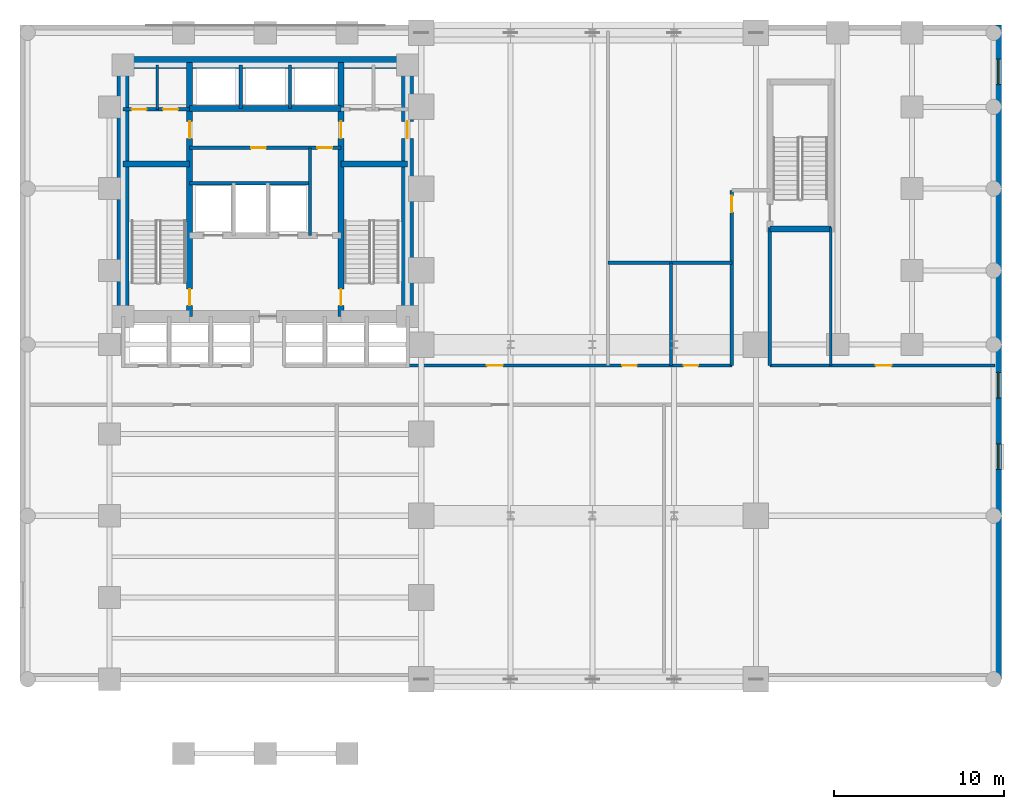
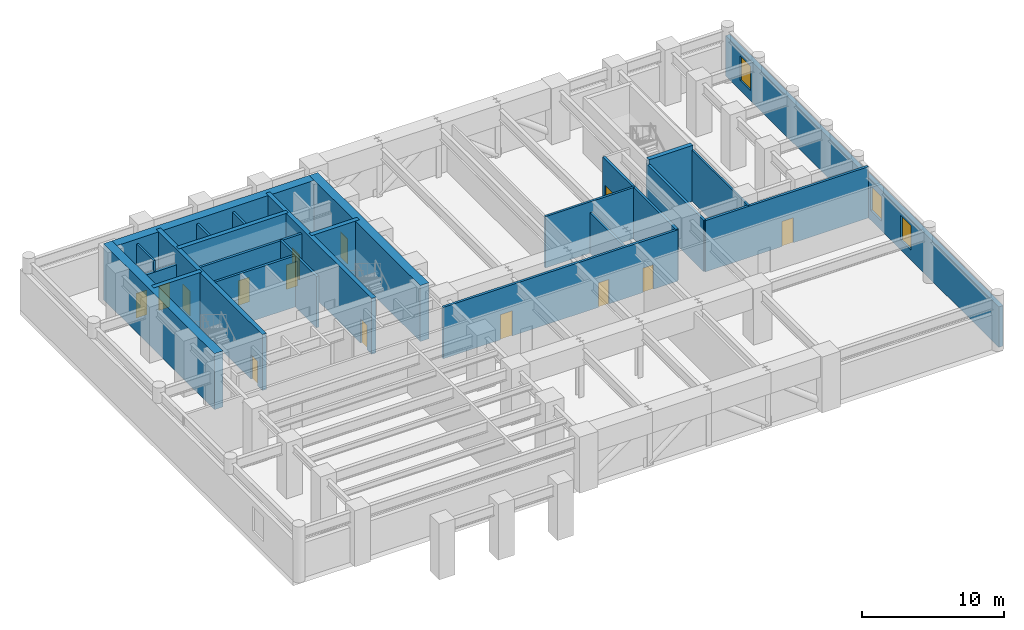
# One storey, part 4 of 8: 24 walls, 14 doors, 3 windows, 17 openings.
"""IFC4 building model written with IfcOpenShell, lengths in metres."""

from ifc_helpers import new_model, si_unit, direction, frame, frame_2d, origin, place, context, subcontext, project, spatial, rectangle, extrude, material, layer, layer_set, type_object, element, fill, save


model = new_model("IFC4")

# Units and contexts
model_context = context("Model", 3, precision=1e-05, world=origin(), true_north=direction((0.0, 1.0)))
body_context = subcontext(model_context, "Body", "Model", "MODEL_VIEW")
ifc_project = project(units=[si_unit("LENGTHUNIT", "METRE"), si_unit("AREAUNIT", "SQUARE_METRE"), si_unit("VOLUMEUNIT", "CUBIC_METRE"), si_unit("PLANEANGLEUNIT", "RADIAN"), si_unit("MASSUNIT", "GRAM", prefix="KILO")], contexts=[model_context])

# Site, building, storey
site_placement = place(None, origin())
site = spatial("IfcSite", under=ifc_project, at=site_placement, CompositionType="ELEMENT")
building_placement = place(site_placement, origin())
building = spatial("IfcBuilding", under=site, at=building_placement, Name="Orvandelia Arch Residences", CompositionType="ELEMENT")
storey_placement = place(building_placement, frame((0.0, 0.0, 14.800048828125)))
storey = spatial("IfcBuildingStorey", under=building, at=storey_placement, Name="L03", CompositionType="ELEMENT", Elevation=14.800048828125)

# Wall, openings, doors
ifc_material_1 = material(Name="Concrete C50/60", Category="concrete")
ifc_layer_1 = layer(ifc_material_1, 0.35009765625, Name="Concrete C50/60", Category="concrete")
ifc_layer_set_1 = layer_set([ifc_layer_1], Name="Concrete C50/60")
wall_type_1 = type_object("IfcWallType", Name="WL-CORE-350", PredefinedType="SHEAR", material=ifc_layer_set_1)
wall_1_placement = place(storey_placement, frame((9.9599609375, 30.89990234375, 0.0), z_axis=(0.0, 0.0, 1.0), x_axis=(0.0, 1.0, 0.0)))
wall_1 = element("IfcWall", 1, at=wall_1_placement, inside=storey, type_object=wall_type_1, Name="Core Shear Wall L03-WEB1", PredefinedType="SHEAR", context=body_context, shape_type="SweptSolid", body=[
    extrude(rectangle(XDim=14.900146484375, YDim=0.35009765625, at=frame_2d((7.4501953125, 0.0))), origin(), (0.0, 0.0, 1.0), 4.800048828125),
])
opening_1_placement = place(wall_1_placement, frame((0.64990234375, 0.0, 0.0)))
opening_1 = element("IfcOpeningElement", 2, at=opening_1_placement, cuts=wall_1, Name="Opening D7", PredefinedType="OPENING", context=body_context, shape_type="SweptSolid", body=[
    extrude(rectangle(XDim=0.949951171875, YDim=2.10009765625, at=frame_2d((0.47509765625, 1.050048828125))), frame((0.0, 0.18505859375, 0.0), z_axis=(0.0, -1.0, 0.0), x_axis=(1.0, 0.0, 0.0)), (0.0, 0.0, 1.0), 0.3701171875),
])
opening_2_placement = place(wall_1_placement, frame((10.449951171875, 0.0, 0.0)))
opening_2 = element("IfcOpeningElement", 3, at=opening_2_placement, cuts=wall_1, Name="Opening D6", PredefinedType="OPENING", context=body_context, shape_type="SweptSolid", body=[
    extrude(rectangle(XDim=1.0, YDim=2.14990234375, at=frame_2d((0.5, 1.074951171875))), frame((0.0, 0.18505859375, 0.0), z_axis=(0.0, -1.0, 0.0), x_axis=(1.0, 0.0, 0.0)), (0.0, 0.0, 1.0), 0.3701171875),
])
ifc_material_2 = material(Name="Smokeproof Painted Steel Fire Door", Category="steel")
door_type_1 = type_object("IfcDoorType", Name="DR-FD60-1000", OperationType="NOTDEFINED", PredefinedType="DOOR", material=ifc_material_2)
door_1_placement = place(opening_2_placement, origin())
door_1 = element("IfcDoor", 4, at=door_1_placement, inside=storey, type_object=door_type_1, Name="High-Rise Lift Hall West Vestibule Door L03", OperationType="SINGLE_SWING_LEFT", OverallHeight=2.14990234375, OverallWidth=1.0, PredefinedType="DOOR", context=body_context, shape_type="SweptSolid", body=[
    extrude(rectangle(XDim=1.0, YDim=2.14990234375, at=frame_2d((0.5, 1.074951171875))), frame((0.0, 0.02490234375, 0.0), z_axis=(0.0, -1.0, 0.0), x_axis=(1.0, 0.0, 0.0)), (0.0, 0.0, 1.0), 0.050048828125),
])
fill(opening_2, door_1)
ifc_material_3 = material(Name="Pressurised Stairwell Fire Door")
door_type_2 = type_object("IfcDoorType", Name="DR-STAIR-950", OperationType="NOTDEFINED", PredefinedType="DOOR", material=ifc_material_3)
door_2_placement = place(opening_1_placement, origin())
door_2 = element("IfcDoor", 5, at=door_2_placement, inside=storey, type_object=door_type_2, Name="Stairwell ST-1 Fire Door L03", OperationType="SINGLE_SWING_LEFT", OverallHeight=2.10009765625, OverallWidth=0.949951171875, PredefinedType="DOOR", context=body_context, shape_type="SweptSolid", body=[
    extrude(rectangle(XDim=0.949951171875, YDim=2.10009765625, at=frame_2d((0.47509765625, 1.050048828125))), frame((0.0, 0.02490234375, 0.0), z_axis=(0.0, -1.0, 0.0), x_axis=(1.0, 0.0, 0.0)), (0.0, 0.0, 1.0), 0.050048828125),
])
fill(opening_1, door_2)

wall_2_placement = place(storey_placement, frame((18.840087890625, 30.89990234375, 0.0), z_axis=(0.0, 0.0, 1.0), x_axis=(0.0, 1.0, 0.0)))
wall_2 = element("IfcWall", 6, at=wall_2_placement, inside=storey, type_object=wall_type_1, Name="Core Shear Wall L03-WEB2", PredefinedType="SHEAR", context=body_context, shape_type="SweptSolid", body=[
    extrude(rectangle(XDim=14.900146484375, YDim=0.35009765625, at=frame_2d((7.4501953125, 0.0))), origin(), (0.0, 0.0, 1.0), 4.800048828125),
])
opening_3_placement = place(wall_2_placement, frame((0.64990234375, 0.0, 0.0)))
opening_3 = element("IfcOpeningElement", 7, at=opening_3_placement, cuts=wall_2, Name="Opening D7", PredefinedType="OPENING", context=body_context, shape_type="SweptSolid", body=[
    extrude(rectangle(XDim=0.949951171875, YDim=2.10009765625, at=frame_2d((0.47509765625, 1.050048828125))), frame((0.0, 0.18505859375, 0.0), z_axis=(0.0, -1.0, 0.0), x_axis=(1.0, 0.0, 0.0)), (0.0, 0.0, 1.0), 0.3701171875),
])
opening_4_placement = place(wall_2_placement, frame((10.449951171875, 0.0, 0.0)))
opening_4 = element("IfcOpeningElement", 8, at=opening_4_placement, cuts=wall_2, Name="Opening D6", PredefinedType="OPENING", context=body_context, shape_type="SweptSolid", body=[
    extrude(rectangle(XDim=1.0, YDim=2.14990234375, at=frame_2d((0.5, 1.074951171875))), frame((0.0, 0.18505859375, 0.0), z_axis=(0.0, -1.0, 0.0), x_axis=(1.0, 0.0, 0.0)), (0.0, 0.0, 1.0), 0.3701171875),
])
door_3_placement = place(opening_4_placement, origin())
door_3 = element("IfcDoor", 9, at=door_3_placement, inside=storey, type_object=door_type_1, Name="High-Rise Lift Hall East Vestibule Door L03", OperationType="SINGLE_SWING_RIGHT", OverallHeight=2.14990234375, OverallWidth=1.0, PredefinedType="DOOR", context=body_context, shape_type="SweptSolid", body=[
    extrude(rectangle(XDim=1.0, YDim=2.14990234375, at=frame_2d((0.5, 1.074951171875))), frame((0.0, 0.02490234375, 0.0), z_axis=(0.0, -1.0, 0.0), x_axis=(1.0, 0.0, 0.0)), (0.0, 0.0, 1.0), 0.050048828125),
])
fill(opening_4, door_3)
door_4_placement = place(opening_3_placement, origin())
door_4 = element("IfcDoor", 10, at=door_4_placement, inside=storey, type_object=door_type_2, Name="Stairwell ST-2 Fire Door L03", OperationType="SINGLE_SWING_RIGHT", OverallHeight=2.10009765625, OverallWidth=0.949951171875, PredefinedType="DOOR", context=body_context, shape_type="SweptSolid", body=[
    extrude(rectangle(XDim=0.949951171875, YDim=2.10009765625, at=frame_2d((0.47509765625, 1.050048828125))), frame((0.0, 0.02490234375, 0.0), z_axis=(0.0, -1.0, 0.0), x_axis=(1.0, 0.0, 0.0)), (0.0, 0.0, 1.0), 0.050048828125),
])
fill(opening_3, door_4)

# Walls
for number, where, z_axis, x_axis, name in (
    (11, (6.050048828125, 39.85009765625, 0.0), (0.0, 0.0, 1.0), (1.0, 0.0, 0.0), "Core Shear Wall L03-HZ1"),
    (12, (18.840087890625, 39.85009765625, 0.0), (0.0, 0.0, 1.0), (1.0, 0.0, 0.0), "Core Shear Wall L03-HZ2"),
):
    element("IfcWall", number, at=place(storey_placement, frame(where, z_axis=z_axis, x_axis=x_axis)), inside=storey, type_object=wall_type_1, Name=name, PredefinedType="SHEAR", context=body_context, shape_type="SweptSolid", body=[
        extrude(rectangle(XDim=3.909912109375, YDim=0.35009765625, at=frame_2d((1.955078125, 0.0))), origin(), (0.0, 0.0, 1.0), 4.800048828125),
    ])
wall_3_placement = place(storey_placement, frame((9.9599609375, 43.10009765625, 0.0), z_axis=(0.0, 0.0, 1.0), x_axis=(1.0, 0.0, 0.0)))
element("IfcWall", 13, at=wall_3_placement, inside=storey, type_object=wall_type_1, Name="Core Shear Wall L03-HZ4", PredefinedType="SHEAR", context=body_context, shape_type="SweptSolid", body=[
    extrude(rectangle(XDim=8.880126953125, YDim=0.35009765625, at=frame_2d((4.43994140625, 0.0))), origin(), (0.0, 0.0, 1.0), 4.800048828125),
])
wall_4_placement = place(storey_placement, frame((44.02001953125, 36.0400390625, 0.0), z_axis=(0.0, 0.0, 1.0), x_axis=(1.0, 0.0, 0.0)))
element("IfcWall", 14, at=wall_4_placement, inside=storey, type_object=wall_type_1, Name="East Stair Core Shear Wall L03-S", PredefinedType="SHEAR", context=body_context, shape_type="SweptSolid", body=[
    extrude(rectangle(XDim=3.580078125, YDim=0.35009765625, at=frame_2d((1.7900390625, 0.0))), origin(), (0.0, 0.0, 1.0), 4.800048828125),
])
ifc_material_4 = material(Name="Concrete C80/95", Category="concrete")
ifc_layer_2 = layer(ifc_material_4, 0.699951171875, Name="Concrete C80/95", Category="concrete")
ifc_layer_set_2 = layer_set([ifc_layer_2], Name="Concrete C80/95")
wall_type_2 = type_object("IfcWallType", Name="WL-CORE-700", PredefinedType="SHEAR", material=ifc_layer_set_2)
wall_5_placement = place(storey_placement, frame((6.050048828125, 30.550048828125, 0.0), z_axis=(0.0, 0.0, 1.0), x_axis=(0.0, 1.0, 0.0)))
element("IfcWall", 15, at=wall_5_placement, inside=storey, type_object=wall_type_2, Name="Core Shear Wall L03-W", PredefinedType="SHEAR", context=body_context, shape_type="SweptSolid", body=[
    extrude(rectangle(XDim=15.599853515625, YDim=0.699951171875, at=frame_2d((7.7998046875, 0.0))), origin(), (0.0, 0.0, 1.0), 4.800048828125),
])

# Wall, opening, door
wall_6_placement = place(storey_placement, frame((22.75, 30.550048828125, 0.0), z_axis=(0.0, 0.0, 1.0), x_axis=(0.0, 1.0, 0.0)))
wall_6 = element("IfcWall", 16, at=wall_6_placement, inside=storey, type_object=wall_type_2, Name="Core Shear Wall L03-E", PredefinedType="SHEAR", context=body_context, shape_type="SweptSolid", body=[
    extrude(rectangle(XDim=15.599853515625, YDim=0.699951171875, at=frame_2d((7.7998046875, 0.0))), origin(), (0.0, 0.0, 1.0), 4.800048828125),
])
opening_5_placement = place(wall_6_placement, frame((10.800048828125, 0.0, 0.0)))
opening_5 = element("IfcOpeningElement", 17, at=opening_5_placement, cuts=wall_6, Name="Opening D6", PredefinedType="OPENING", context=body_context, shape_type="SweptSolid", body=[
    extrude(rectangle(XDim=1.0, YDim=2.14990234375, at=frame_2d((0.5, 1.074951171875))), frame((0.0, 0.35986328125, 0.0), z_axis=(0.0, -1.0, 0.0), x_axis=(1.0, 0.0, 0.0)), (0.0, 0.0, 1.0), 0.719970703125),
])
door_5_placement = place(opening_5_placement, origin())
door_5 = element("IfcDoor", 18, at=door_5_placement, inside=storey, type_object=door_type_1, Name="Core East Corridor Link Door L03", OperationType="SINGLE_SWING_LEFT", OverallHeight=2.14990234375, OverallWidth=1.0, PredefinedType="DOOR", context=body_context, shape_type="SweptSolid", body=[
    extrude(rectangle(XDim=1.0, YDim=2.14990234375, at=frame_2d((0.5, 1.074951171875))), frame((0.0, 0.02490234375, 0.0), z_axis=(0.0, -1.0, 0.0), x_axis=(1.0, 0.0, 0.0)), (0.0, 0.0, 1.0), 0.050048828125),
])
fill(opening_5, door_5)

# Wall
wall_7_placement = place(storey_placement, frame((6.050048828125, 45.800048828125, 0.0), z_axis=(0.0, 0.0, 1.0), x_axis=(1.0, 0.0, 0.0)))
element("IfcWall", 19, at=wall_7_placement, inside=storey, type_object=wall_type_2, Name="Core Shear Wall L03-N", PredefinedType="SHEAR", context=body_context, shape_type="SweptSolid", body=[
    extrude(rectangle(XDim=16.699951171875, YDim=0.699951171875, at=frame_2d((8.35009765625, 0.0))), origin(), (0.0, 0.0, 1.0), 4.800048828125),
])

# Wall, openings, doors
ifc_material_5 = material(Name="Fire-Rated Corridor Partition")
ifc_layer_3 = layer(ifc_material_5, 0.199951171875, Name="Fire-Rated Corridor Partition")
ifc_layer_set_3 = layer_set([ifc_layer_3], Name="Fire-Rated Corridor Partition")
wall_type_3 = type_object("IfcWallType", Name="WL-CORR-200", PredefinedType="PARTITIONING", material=ifc_layer_set_3)
wall_8_placement = place(storey_placement, frame((22.75, 28.02001953125, 0.0), z_axis=(0.0, 0.0, 1.0), x_axis=(1.0, 0.0, 0.0)))
wall_8 = element("IfcWall", 20, at=wall_8_placement, inside=storey, type_object=wall_type_3, Name="Interior Partition Wall WL-L03-BRG-N", PredefinedType="PARTITIONING", context=body_context, shape_type="SweptSolid", body=[
    extrude(rectangle(XDim=19.030029296875, YDim=0.199951171875, at=frame_2d((9.51513671875, 0.0))), origin(), (0.0, 0.0, 1.0), 4.39990234375),
])
opening_6_placement = place(wall_8_placement, frame((4.64990234375, 0.0, 0.0)))
opening_6 = element("IfcOpeningElement", 21, at=opening_6_placement, cuts=wall_8, Name="Opening D2", PredefinedType="OPENING", context=body_context, shape_type="SweptSolid", body=[
    extrude(rectangle(XDim=0.949951171875, YDim=2.14990234375, at=frame_2d((0.47509765625, 1.074951171875))), frame((0.0, 0.10986328125, 0.0), z_axis=(0.0, -1.0, 0.0), x_axis=(1.0, 0.0, 0.0)), (0.0, 0.0, 1.0), 0.219970703125),
])
opening_7_placement = place(wall_8_placement, frame((12.60009765625, 0.0, 0.0)))
opening_7 = element("IfcOpeningElement", 22, at=opening_7_placement, cuts=wall_8, Name="Opening D4", PredefinedType="OPENING", context=body_context, shape_type="SweptSolid", body=[
    extrude(rectangle(XDim=0.860107421875, YDim=2.10009765625, at=frame_2d((0.43017578125, 1.050048828125))), frame((0.0, 0.10986328125, 0.0), z_axis=(0.0, -1.0, 0.0), x_axis=(1.0, 0.0, 0.0)), (0.0, 0.0, 1.0), 0.219970703125),
])
opening_8_placement = place(wall_8_placement, frame((16.199951171875, 0.0, 0.0)))
opening_8 = element("IfcOpeningElement", 23, at=opening_8_placement, cuts=wall_8, Name="Opening D4", PredefinedType="OPENING", context=body_context, shape_type="SweptSolid", body=[
    extrude(rectangle(XDim=0.860107421875, YDim=2.10009765625, at=frame_2d((0.43017578125, 1.050048828125))), frame((0.0, 0.10986328125, 0.0), z_axis=(0.0, -1.0, 0.0), x_axis=(1.0, 0.0, 0.0)), (0.0, 0.0, 1.0), 0.219970703125),
])
ifc_material_6 = material(Name="Solid-Core Timber Interior Fire Door", Category="wood")
door_type_3 = type_object("IfcDoorType", Name="DR-APT-950", OperationType="NOTDEFINED", PredefinedType="DOOR", material=ifc_material_6)
door_6_placement = place(opening_6_placement, origin())
door_6 = element("IfcDoor", 24, at=door_6_placement, inside=storey, type_object=door_type_3, Name="DR-L03-PN1", OperationType="SINGLE_SWING_LEFT", OverallHeight=2.14990234375, OverallWidth=0.949951171875, PredefinedType="DOOR", context=body_context, shape_type="SweptSolid", body=[
    extrude(rectangle(XDim=0.949951171875, YDim=2.14990234375, at=frame_2d((0.47509765625, 1.074951171875))), frame((0.0, 0.02490234375, 0.0), z_axis=(0.0, -1.0, 0.0), x_axis=(1.0, 0.0, 0.0)), (0.0, 0.0, 1.0), 0.050048828125),
])
fill(opening_6, door_6)
ifc_material_7 = material(Name="Moisture-Sealed Timber Bathroom Door", Category="wood")
door_type_4 = type_object("IfcDoorType", Name="DR-WET-900", OperationType="NOTDEFINED", PredefinedType="DOOR", material=ifc_material_7)
door_7_placement = place(opening_7_placement, origin())
door_7 = element("IfcDoor", 25, at=door_7_placement, inside=storey, type_object=door_type_4, Name="DR-L03-PWC", OperationType="SINGLE_SWING_RIGHT", OverallHeight=2.10009765625, OverallWidth=0.860107421875, PredefinedType="DOOR", context=body_context, shape_type="SweptSolid", body=[
    extrude(rectangle(XDim=0.860107421875, YDim=2.10009765625, at=frame_2d((0.43017578125, 1.050048828125))), frame((0.0, 0.02490234375, 0.0), z_axis=(0.0, -1.0, 0.0), x_axis=(1.0, 0.0, 0.0)), (0.0, 0.0, 1.0), 0.050048828125),
])
fill(opening_7, door_7)
door_8_placement = place(opening_8_placement, origin())
door_8 = element("IfcDoor", 26, at=door_8_placement, inside=storey, type_object=door_type_4, Name="DR-L03-PWCA", OperationType="SINGLE_SWING_LEFT", OverallHeight=2.10009765625, OverallWidth=0.860107421875, PredefinedType="DOOR", context=body_context, shape_type="SweptSolid", body=[
    extrude(rectangle(XDim=0.860107421875, YDim=2.10009765625, at=frame_2d((0.43017578125, 1.050048828125))), frame((0.0, 0.02490234375, 0.0), z_axis=(0.0, -1.0, 0.0), x_axis=(1.0, 0.0, 0.0)), (0.0, 0.0, 1.0), 0.050048828125),
])
fill(opening_8, door_8)

# Wall, opening, door
wall_9_placement = place(storey_placement, frame((44.02001953125, 28.02001953125, 0.0), z_axis=(0.0, 0.0, 1.0), x_axis=(1.0, 0.0, 0.0)))
wall_9 = element("IfcWall", 27, at=wall_9_placement, inside=storey, type_object=wall_type_3, Name="Interior Partition Wall WL-L03-BRG-N2", PredefinedType="PARTITIONING", context=body_context, shape_type="SweptSolid", body=[
    extrude(rectangle(XDim=13.219970703125, YDim=0.199951171875, at=frame_2d((6.60986328125, 0.0))), origin(), (0.0, 0.0, 1.0), 4.39990234375),
])
opening_9_placement = place(wall_9_placement, frame((6.199951171875, 0.0, 0.0)))
opening_9 = element("IfcOpeningElement", 28, at=opening_9_placement, cuts=wall_9, Name="Opening D2", PredefinedType="OPENING", context=body_context, shape_type="SweptSolid", body=[
    extrude(rectangle(XDim=0.949951171875, YDim=2.14990234375, at=frame_2d((0.47509765625, 1.074951171875))), frame((0.0, 0.10986328125, 0.0), z_axis=(0.0, -1.0, 0.0), x_axis=(1.0, 0.0, 0.0)), (0.0, 0.0, 1.0), 0.219970703125),
])
door_9_placement = place(opening_9_placement, origin())
door_9 = element("IfcDoor", 29, at=door_9_placement, inside=storey, type_object=door_type_3, Name="DR-L03-PNE1", OperationType="SINGLE_SWING_LEFT", OverallHeight=2.14990234375, OverallWidth=0.949951171875, PredefinedType="DOOR", context=body_context, shape_type="SweptSolid", body=[
    extrude(rectangle(XDim=0.949951171875, YDim=2.14990234375, at=frame_2d((0.47509765625, 1.074951171875))), frame((0.0, 0.02490234375, 0.0), z_axis=(0.0, -1.0, 0.0), x_axis=(1.0, 0.0, 0.0)), (0.0, 0.0, 1.0), 0.050048828125),
])
fill(opening_9, door_9)

wall_10_placement = place(storey_placement, frame((41.780029296875, 28.02001953125, 0.0), z_axis=(0.0, 0.0, 1.0), x_axis=(0.0, 1.0, 0.0)))
wall_10 = element("IfcWall", 30, at=wall_10_placement, inside=storey, type_object=wall_type_3, Name="Interior Partition Wall WL-L03-BRG-SW", PredefinedType="PARTITIONING", context=body_context, shape_type="SweptSolid", body=[
    extrude(rectangle(XDim=10.280029296875, YDim=0.199951171875, at=frame_2d((5.14013671875, 0.0))), origin(), (0.0, 0.0, 1.0), 4.39990234375),
])
opening_10_placement = place(wall_10_placement, frame((9.0, 0.0, 0.0)))
opening_10 = element("IfcOpeningElement", 31, at=opening_10_placement, cuts=wall_10, Name="Opening D2", PredefinedType="OPENING", context=body_context, shape_type="SweptSolid", body=[
    extrude(rectangle(XDim=0.949951171875, YDim=2.14990234375, at=frame_2d((0.47509765625, 1.074951171875))), frame((0.0, 0.10986328125, 0.0), z_axis=(0.0, -1.0, 0.0), x_axis=(1.0, 0.0, 0.0)), (0.0, 0.0, 1.0), 0.219970703125),
])
door_10_placement = place(opening_10_placement, origin())
door_10 = element("IfcDoor", 32, at=door_10_placement, inside=storey, type_object=door_type_3, Name="DR-L03-PN2", OperationType="SINGLE_SWING_RIGHT", OverallHeight=2.14990234375, OverallWidth=0.949951171875, PredefinedType="DOOR", context=body_context, shape_type="SweptSolid", body=[
    extrude(rectangle(XDim=0.949951171875, YDim=2.14990234375, at=frame_2d((0.47509765625, 1.074951171875))), frame((0.0, 0.02490234375, 0.0), z_axis=(0.0, -1.0, 0.0), x_axis=(1.0, 0.0, 0.0)), (0.0, 0.0, 1.0), 0.050048828125),
])
fill(opening_10, door_10)

# Wall
wall_11_placement = place(storey_placement, frame((44.02001953125, 28.02001953125, 0.0), z_axis=(0.0, 0.0, 1.0), x_axis=(0.0, 1.0, 0.0)))
element("IfcWall", 33, at=wall_11_placement, inside=storey, type_object=wall_type_3, Name="Interior Partition Wall WL-L03-BRG-SE", PredefinedType="PARTITIONING", context=body_context, shape_type="SweptSolid", body=[
    extrude(rectangle(XDim=8.10009765625, YDim=0.199951171875, at=frame_2d((4.050048828125, 0.0))), origin(), (0.0, 0.0, 1.0), 4.39990234375),
])

# Wall, openings, windows
ifc_material_8 = material(Name="Precast concrete C40/50", Category="concrete")
ifc_layer_4 = layer(ifc_material_8, 0.35009765625, Name="Precast concrete C40/50", Category="concrete")
ifc_layer_set_4 = layer_set([ifc_layer_4], Name="Precast concrete C40/50")
wall_type_4 = type_object("IfcWallType", Name="WL-EXT-POD-350", PredefinedType="STANDARD", material=ifc_layer_set_4)
wall_12_placement = place(storey_placement, frame((57.425048828125, 48.0, 0.0), z_axis=(0.0, 0.0, 1.0), x_axis=(0.0, -1.0, 0.0)))
wall_12 = element("IfcWall", 34, at=wall_12_placement, inside=storey, type_object=wall_type_4, Name="Coral-Limestone Precast Facade Wall L03-002", PredefinedType="STANDARD", context=body_context, shape_type="SweptSolid", body=[
    extrude(rectangle(XDim=38.39990234375, YDim=0.35009765625, at=frame_2d((19.199951171875, 0.0))), origin(), (0.0, 0.0, 1.0), 3.47998046875),
])
opening_11_placement = place(wall_12_placement, frame((20.389892578125, 0.0, 0.85009765625)))
opening_11 = element("IfcOpeningElement", 35, at=opening_11_placement, cuts=wall_12, Name="Opening W2", PredefinedType="OPENING", context=body_context, shape_type="SweptSolid", body=[
    extrude(rectangle(XDim=1.5, YDim=2.10009765625, at=frame_2d((0.75, 1.050048828125))), frame((0.0, 0.18505859375, 0.0), z_axis=(0.0, -1.0, 0.0), x_axis=(1.0, 0.0, 0.0)), (0.0, 0.0, 1.0), 0.3701171875),
])
opening_12_placement = place(wall_12_placement, frame((2.0, 0.0, 0.85009765625)))
opening_12 = element("IfcOpeningElement", 36, at=opening_12_placement, cuts=wall_12, Name="Opening W2", PredefinedType="OPENING", context=body_context, shape_type="SweptSolid", body=[
    extrude(rectangle(XDim=1.5, YDim=2.10009765625, at=frame_2d((0.75, 1.050048828125))), frame((0.0, 0.18505859375, 0.0), z_axis=(0.0, -1.0, 0.0), x_axis=(1.0, 0.0, 0.0)), (0.0, 0.0, 1.0), 0.3701171875),
])
opening_13_placement = place(wall_12_placement, frame((24.5849609375, 0.0, 0.85009765625)))
opening_13 = element("IfcOpeningElement", 37, at=opening_13_placement, cuts=wall_12, Name="Opening W2", PredefinedType="OPENING", context=body_context, shape_type="SweptSolid", body=[
    extrude(rectangle(XDim=1.5, YDim=2.10009765625, at=frame_2d((0.75, 1.050048828125))), frame((0.0, 0.18505859375, 0.0), z_axis=(0.0, -1.0, 0.0), x_axis=(1.0, 0.0, 0.0)), (0.0, 0.0, 1.0), 0.3701171875),
])
ifc_material_9 = material(Name="Tempered Low-E Insulated Glazing", Category="glass")
window_type = type_object("IfcWindowType", Name="WIN-RES-1500x2100", PartitioningType="SINGLE_PANEL", PredefinedType="WINDOW", material=ifc_material_9)
window_1_placement = place(opening_11_placement, origin())
window_1 = element("IfcWindow", 38, at=window_1_placement, inside=storey, type_object=window_type, Name="Recessed Punched Window L03-001", OverallHeight=2.10009765625, OverallWidth=1.5, PartitioningType="SINGLE_PANEL", PredefinedType="WINDOW", context=body_context, shape_type="SweptSolid", body=[
    extrude(rectangle(XDim=1.5, YDim=2.10009765625, at=frame_2d((0.75, 1.050048828125))), frame((0.0, 0.030029296875, 0.0), z_axis=(0.0, -1.0, 0.0), x_axis=(1.0, 0.0, 0.0)), (0.0, 0.0, 1.0), 0.06005859375),
])
fill(opening_11, window_1)
window_2_placement = place(opening_12_placement, origin())
window_2 = element("IfcWindow", 39, at=window_2_placement, inside=storey, type_object=window_type, Name="Recessed Punched Window L03-002", OverallHeight=2.10009765625, OverallWidth=1.5, PartitioningType="SINGLE_PANEL", PredefinedType="WINDOW", context=body_context, shape_type="SweptSolid", body=[
    extrude(rectangle(XDim=1.5, YDim=2.10009765625, at=frame_2d((0.75, 1.050048828125))), frame((0.0, 0.030029296875, 0.0), z_axis=(0.0, -1.0, 0.0), x_axis=(1.0, 0.0, 0.0)), (0.0, 0.0, 1.0), 0.06005859375),
])
fill(opening_12, window_2)
window_3_placement = place(opening_13_placement, origin())
window_3 = element("IfcWindow", 40, at=window_3_placement, inside=storey, type_object=window_type, Name="Recessed Punched Window L03-003", OverallHeight=2.10009765625, OverallWidth=1.5, PartitioningType="SINGLE_PANEL", PredefinedType="WINDOW", context=body_context, shape_type="SweptSolid", body=[
    extrude(rectangle(XDim=1.5, YDim=2.10009765625, at=frame_2d((0.75, 1.050048828125))), frame((0.0, 0.030029296875, 0.0), z_axis=(0.0, -1.0, 0.0), x_axis=(1.0, 0.0, 0.0)), (0.0, 0.0, 1.0), 0.06005859375),
])
fill(opening_13, window_3)

# Walls
ifc_material_10 = material(Name="Acoustic Gypsum Stud Partition")
ifc_layer_5 = layer(ifc_material_10, 0.14990234375, Name="Acoustic Gypsum Stud Partition")
ifc_layer_set_5 = layer_set([ifc_layer_5], Name="Acoustic Gypsum Stud Partition")
wall_type_5 = type_object("IfcWallType", Name="WL-PART-150", PredefinedType="PARTITIONING", material=ifc_layer_set_5)
wall_13_placement = place(storey_placement, frame((8.06005859375, 43.050048828125, 0.0), z_axis=(0.0, 0.0, 1.0), x_axis=(0.0, 1.0, 0.0)))
element("IfcWall", 41, at=wall_13_placement, inside=storey, type_object=wall_type_5, Name="Interior Partition Wall WL-L03-CRELC-M", PredefinedType="PARTITIONING", context=body_context, shape_type="SweptSolid", body=[
    extrude(rectangle(XDim=2.599853515625, YDim=0.14990234375, at=frame_2d((1.2998046875, 0.0))), origin(), (0.0, 0.0, 1.0), 4.39990234375),
])
wall_14_placement = place(storey_placement, frame((47.60009765625, 28.02001953125, 0.0), z_axis=(0.0, 0.0, 1.0), x_axis=(0.0, 1.0, 0.0)))
element("IfcWall", 42, at=wall_14_placement, inside=storey, type_object=wall_type_5, Name="Interior Partition Wall WL-L03-PNE-W", PredefinedType="PARTITIONING", context=body_context, shape_type="SweptSolid", body=[
    extrude(rectangle(XDim=8.10009765625, YDim=0.14990234375, at=frame_2d((4.050048828125, 0.0))), origin(), (0.0, 0.0, 1.0), 4.39990234375),
])
ifc_material_11 = material(Name="Fire-Rated Shaft Enclosure Wall")
ifc_layer_6 = layer(ifc_material_11, 0.199951171875, Name="Fire-Rated Shaft Enclosure Wall")
ifc_layer_set_6 = layer_set([ifc_layer_6], Name="Fire-Rated Shaft Enclosure Wall")
wall_type_6 = type_object("IfcWallType", Name="WL-SHAFT-200", PredefinedType="POLYGONAL", material=ifc_layer_set_6)
wall_15_placement = place(storey_placement, frame((9.9599609375, 38.719970703125, 0.0), z_axis=(0.0, 0.0, 1.0), x_axis=(1.0, 0.0, 0.0)))
element("IfcWall", 43, at=wall_15_placement, inside=storey, type_object=wall_type_6, Name="Interior Partition Wall WL-L03-FLN", PredefinedType="POLYGONAL", context=body_context, shape_type="SweptSolid", body=[
    extrude(rectangle(XDim=7.06005859375, YDim=0.199951171875, at=frame_2d((3.530029296875, 0.0))), origin(), (0.0, 0.0, 1.0), 4.39990234375),
])
wall_16_placement = place(storey_placement, frame((17.02001953125, 35.64990234375, 0.0), z_axis=(0.0, 0.0, 1.0), x_axis=(0.0, 1.0, 0.0)))
element("IfcWall", 44, at=wall_16_placement, inside=storey, type_object=wall_type_6, Name="Interior Partition Wall WL-L03-FLM3", PredefinedType="POLYGONAL", context=body_context, shape_type="SweptSolid", body=[
    extrude(rectangle(XDim=5.150146484375, YDim=0.199951171875, at=frame_2d((2.5751953125, 0.0))), origin(), (0.0, 0.0, 1.0), 4.39990234375),
])

# Wall, openings, doors
wall_17_placement = place(storey_placement, frame((9.9599609375, 40.800048828125, 0.0), z_axis=(0.0, 0.0, 1.0), x_axis=(1.0, 0.0, 0.0)))
wall_17 = element("IfcWall", 45, at=wall_17_placement, inside=storey, type_object=wall_type_6, Name="Interior Partition Wall WL-L03-HLH-S", PredefinedType="POLYGONAL", context=body_context, shape_type="SweptSolid", body=[
    extrude(rectangle(XDim=8.880126953125, YDim=0.199951171875, at=frame_2d((4.43994140625, 0.0))), origin(), (0.0, 0.0, 1.0), 4.39990234375),
])
opening_14_placement = place(wall_17_placement, frame((7.5, 0.0, 0.0)))
opening_14 = element("IfcOpeningElement", 46, at=opening_14_placement, cuts=wall_17, Name="Opening D5", PredefinedType="OPENING", context=body_context, shape_type="SweptSolid", body=[
    extrude(rectangle(XDim=0.8798828125, YDim=2.10009765625, at=frame_2d((0.43994140625, 1.050048828125))), frame((0.0, 0.10986328125, 0.0), z_axis=(0.0, -1.0, 0.0), x_axis=(1.0, 0.0, 0.0)), (0.0, 0.0, 1.0), 0.219970703125),
])
opening_15_placement = place(wall_17_placement, frame((3.60009765625, 0.0, 0.0)))
opening_15 = element("IfcOpeningElement", 47, at=opening_15_placement, cuts=wall_17, Name="Opening D5", PredefinedType="OPENING", context=body_context, shape_type="SweptSolid", body=[
    extrude(rectangle(XDim=0.8798828125, YDim=2.10009765625, at=frame_2d((0.43994140625, 1.050048828125))), frame((0.0, 0.10986328125, 0.0), z_axis=(0.0, -1.0, 0.0), x_axis=(1.0, 0.0, 0.0)), (0.0, 0.0, 1.0), 0.219970703125),
])
ifc_material_12 = material(Name="Painted Galvanised Steel Service Door", Category="steel")
door_type_5 = type_object("IfcDoorType", Name="DR-SRV-880", OperationType="NOTDEFINED", PredefinedType="DOOR", material=ifc_material_12)
door_11_placement = place(opening_14_placement, origin())
door_11 = element("IfcDoor", 48, at=door_11_placement, inside=storey, type_object=door_type_5, Name="Core Stairway Passage North Fire Door L03", OperationType="SINGLE_SWING_RIGHT", OverallHeight=2.10009765625, OverallWidth=0.8798828125, PredefinedType="DOOR", context=body_context, shape_type="SweptSolid", body=[
    extrude(rectangle(XDim=0.8798828125, YDim=2.10009765625, at=frame_2d((0.43994140625, 1.050048828125))), frame((0.0, 0.02490234375, 0.0), z_axis=(0.0, -1.0, 0.0), x_axis=(1.0, 0.0, 0.0)), (0.0, 0.0, 1.0), 0.050048828125),
])
fill(opening_14, door_11)
door_12_placement = place(opening_15_placement, origin())
door_12 = element("IfcDoor", 49, at=door_12_placement, inside=storey, type_object=door_type_5, Name="DR-L03-CSA1", OperationType="SINGLE_SWING_LEFT", OverallHeight=2.10009765625, OverallWidth=0.8798828125, PredefinedType="DOOR", context=body_context, shape_type="SweptSolid", body=[
    extrude(rectangle(XDim=0.8798828125, YDim=2.10009765625, at=frame_2d((0.43994140625, 1.050048828125))), frame((0.0, 0.02490234375, 0.0), z_axis=(0.0, -1.0, 0.0), x_axis=(1.0, 0.0, 0.0)), (0.0, 0.0, 1.0), 0.050048828125),
])
fill(opening_15, door_12)

wall_18_placement = place(storey_placement, frame((6.050048828125, 43.050048828125, 0.0), z_axis=(0.0, 0.0, 1.0), x_axis=(1.0, 0.0, 0.0)))
wall_18 = element("IfcWall", 50, at=wall_18_placement, inside=storey, type_object=wall_type_6, Name="Interior Partition Wall WL-L03-HLW-N", PredefinedType="POLYGONAL", context=body_context, shape_type="SweptSolid", body=[
    extrude(rectangle(XDim=3.909912109375, YDim=0.199951171875, at=frame_2d((1.955078125, 0.0))), origin(), (0.0, 0.0, 1.0), 3.47998046875),
])
opening_16_placement = place(wall_18_placement, frame((0.5, 0.0, 0.0)))
opening_16 = element("IfcOpeningElement", 51, at=opening_16_placement, cuts=wall_18, Name="Opening D5", PredefinedType="OPENING", context=body_context, shape_type="SweptSolid", body=[
    extrude(rectangle(XDim=0.8798828125, YDim=2.10009765625, at=frame_2d((0.43994140625, 1.050048828125))), frame((0.0, 0.10986328125, 0.0), z_axis=(0.0, -1.0, 0.0), x_axis=(1.0, 0.0, 0.0)), (0.0, 0.0, 1.0), 0.219970703125),
])
opening_17_placement = place(wall_18_placement, frame((2.35009765625, 0.0, 0.0)))
opening_17 = element("IfcOpeningElement", 52, at=opening_17_placement, cuts=wall_18, Name="Opening D5", PredefinedType="OPENING", context=body_context, shape_type="SweptSolid", body=[
    extrude(rectangle(XDim=0.8798828125, YDim=2.10009765625, at=frame_2d((0.43994140625, 1.050048828125))), frame((0.0, 0.10986328125, 0.0), z_axis=(0.0, -1.0, 0.0), x_axis=(1.0, 0.0, 0.0)), (0.0, 0.0, 1.0), 0.219970703125),
])
door_13_placement = place(opening_16_placement, origin())
door_13 = element("IfcDoor", 53, at=door_13_placement, inside=storey, type_object=door_type_5, Name="DR-L03-CRELC1", OperationType="SINGLE_SWING_LEFT", OverallHeight=2.10009765625, OverallWidth=0.8798828125, PredefinedType="DOOR", context=body_context, shape_type="SweptSolid", body=[
    extrude(rectangle(XDim=0.8798828125, YDim=2.10009765625, at=frame_2d((0.43994140625, 1.050048828125))), frame((0.0, 0.02490234375, 0.0), z_axis=(0.0, -1.0, 0.0), x_axis=(1.0, 0.0, 0.0)), (0.0, 0.0, 1.0), 0.050048828125),
])
fill(opening_16, door_13)
door_14_placement = place(opening_17_placement, origin())
door_14 = element("IfcDoor", 54, at=door_14_placement, inside=storey, type_object=door_type_5, Name="DR-L03-CRELC2", OperationType="SINGLE_SWING_RIGHT", OverallHeight=2.10009765625, OverallWidth=0.8798828125, PredefinedType="DOOR", context=body_context, shape_type="SweptSolid", body=[
    extrude(rectangle(XDim=0.8798828125, YDim=2.10009765625, at=frame_2d((0.43994140625, 1.050048828125))), frame((0.0, 0.02490234375, 0.0), z_axis=(0.0, -1.0, 0.0), x_axis=(1.0, 0.0, 0.0)), (0.0, 0.0, 1.0), 0.050048828125),
])
fill(opening_17, door_14)

# Walls
for number, where, z_axis, x_axis, name in (
    (55, (12.949951171875, 43.10009765625, 0.0), (0.0, 0.0, 1.0), (0.0, 1.0, 0.0), "Interior Partition Wall WL-L03-PHD1"),
    (56, (15.85009765625, 43.10009765625, 0.0), (0.0, 0.0, 1.0), (0.0, 1.0, 0.0), "Interior Partition Wall WL-L03-PHD2"),
):
    element("IfcWall", number, at=place(storey_placement, frame(where, z_axis=z_axis, x_axis=x_axis)), inside=storey, type_object=wall_type_6, Name=name, PredefinedType="POLYGONAL", context=body_context, shape_type="SweptSolid", body=[
        extrude(rectangle(XDim=2.5498046875, YDim=0.199951171875, at=frame_2d((1.27490234375, 0.0))), origin(), (0.0, 0.0, 1.0), 4.39990234375),
    ])
ifc_material_13 = material(Name="Moisture-Resistant Plumbing Wall")
ifc_layer_7 = layer(ifc_material_13, 0.179931640625, Name="Moisture-Resistant Plumbing Wall")
ifc_layer_set_7 = layer_set([ifc_layer_7], Name="Moisture-Resistant Plumbing Wall")
wall_type_7 = type_object("IfcWallType", Name="WL-WET-180", PredefinedType="PLUMBINGWALL", material=ifc_layer_set_7)
wall_19_placement = place(storey_placement, frame((38.219970703125, 28.02001953125, 0.0), z_axis=(0.0, 0.0, 1.0), x_axis=(0.0, 1.0, 0.0)))
element("IfcWall", 57, at=wall_19_placement, inside=storey, type_object=wall_type_7, Name="Interior Partition Wall WL-L03-ND2", PredefinedType="PLUMBINGWALL", context=body_context, shape_type="SweptSolid", body=[
    extrude(rectangle(XDim=6.030029296875, YDim=0.179931640625, at=frame_2d((3.01513671875, 0.0))), origin(), (0.0, 0.0, 1.0), 3.47998046875),
])
wall_20_placement = place(storey_placement, frame((34.52001953125, 34.050048828125, 0.0), z_axis=(0.0, 0.0, 1.0), x_axis=(1.0, 0.0, 0.0)))
element("IfcWall", 58, at=wall_20_placement, inside=storey, type_object=wall_type_7, Name="Interior Partition Wall WL-L03-ND3", PredefinedType="PLUMBINGWALL", context=body_context, shape_type="SweptSolid", body=[
    extrude(rectangle(XDim=7.260009765625, YDim=0.179931640625, at=frame_2d((3.6298828125, 0.0))), origin(), (0.0, 0.0, 1.0), 4.39990234375),
])

save(model, "model.ifc")
